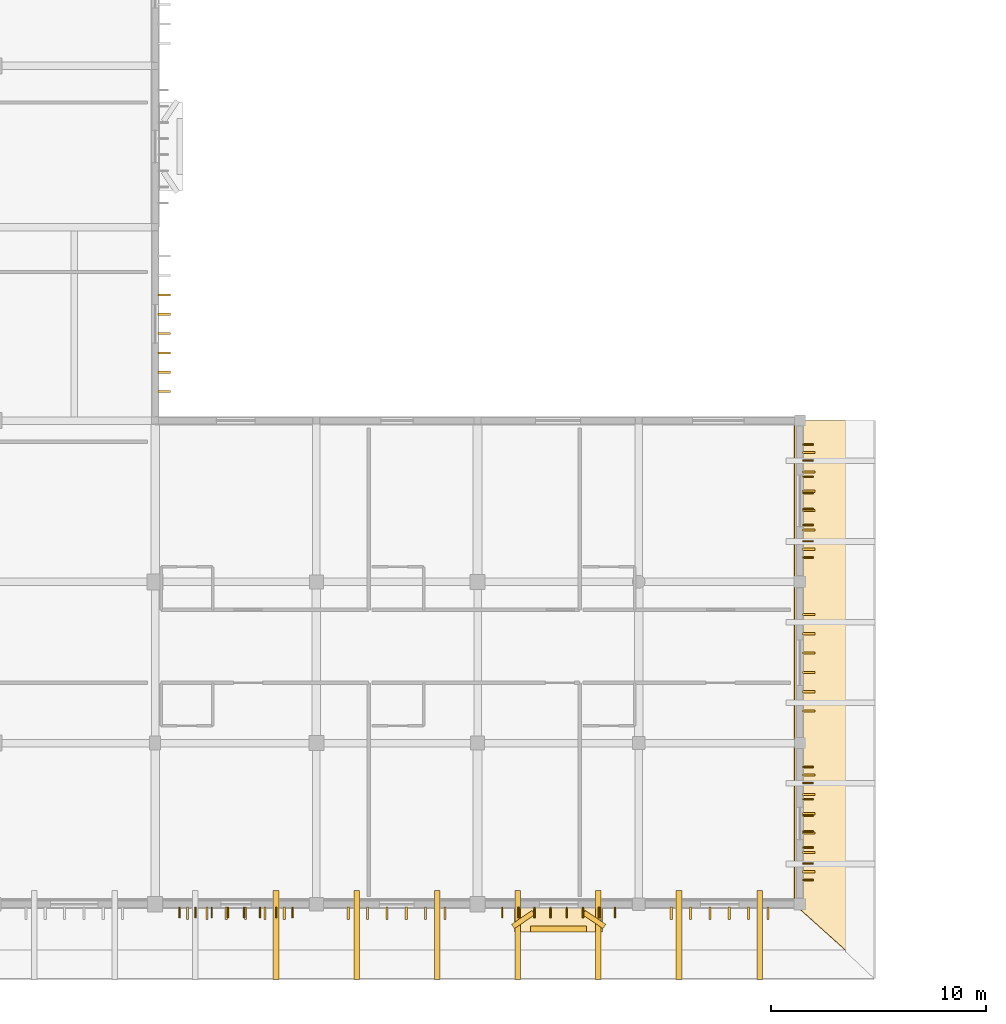
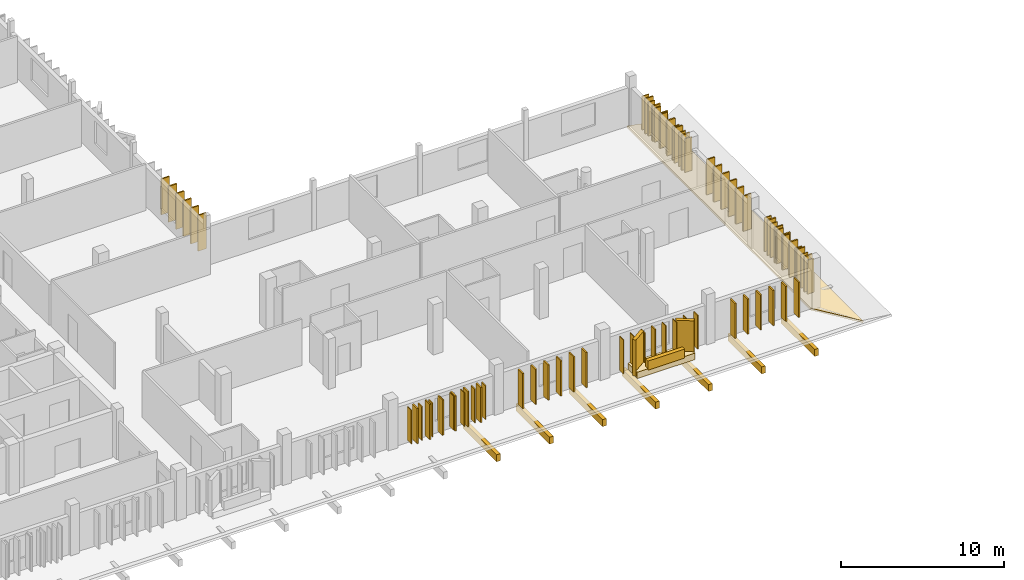
# One storey, part 29 of 43: 54 coverings, 32 shading devices.
"""IFC4 building model written with IfcOpenShell, lengths in metres."""

from ifc_helpers import new_model, si_unit, direction, frame, origin, origin_2d, place, context, subcontext, project, spatial, polyline, rectangle, outline, extrude, material, layer, layer_set, type_object, element, save


model = new_model("IFC4")

# Units and contexts
model_context = context("Model", 3, precision=1e-05, world=origin(), true_north=direction((0.0, 1.0)))
body_context = subcontext(model_context, "Body", "Model", "MODEL_VIEW")
ifc_project = project(units=[si_unit("LENGTHUNIT", "METRE"), si_unit("AREAUNIT", "SQUARE_METRE"), si_unit("VOLUMEUNIT", "CUBIC_METRE"), si_unit("PLANEANGLEUNIT", "RADIAN"), si_unit("MASSUNIT", "GRAM", prefix="KILO")], contexts=[model_context])

# Site, building, storey
site_placement = place(None, origin())
site = spatial("IfcSite", under=ifc_project, at=site_placement, CompositionType="ELEMENT")
building_placement = place(site_placement, origin())
building = spatial("IfcBuilding", under=site, at=building_placement, Name="Dalvernix Boulevard General Hospital", CompositionType="ELEMENT")
storey_placement = place(building_placement, frame((0.0, 0.0, 14.10009765625)))
storey = spatial("IfcBuildingStorey", under=building, at=storey_placement, Name="L03", CompositionType="ELEMENT", Elevation=14.10009765625)

# Coverings
ifc_material_1 = material(Name="Polychrome glazed Catalan trencadis ceramic faceted bay spandrel")
ifc_layer_1 = layer(ifc_material_1, 0.280029296875)
ifc_layer_set_1 = layer_set([ifc_layer_1], Name="Polychrome glazed Catalan trencadis ceramic faceted bay spandrel (COV-BAY-01)")
covering_type_1 = type_object("IfcCoveringType", Name="COV-BAY-01", PredefinedType="CLADDING", material=ifc_layer_set_1)
covering_1_placement = place(storey_placement, frame((48.77490234375, -1.159912109375, 0.3798828125), z_axis=(0.0, 0.0, 1.0), x_axis=(-1.0, 0.0, 0.0)))
element("IfcCovering", 1, at=covering_1_placement, inside=storey, type_object=covering_type_1, Name="L03 projecting faceted trencadis bay spandrel S 6-0", PredefinedType="CLADDING", context=body_context, shape_type="SweptSolid", body=[
    extrude(rectangle(XDim=2.60009765625, YDim=0.280029296875, at=origin_2d()), origin(), (0.0, 0.0, 1.0), 0.679931640625),
])
for number, where, z_axis, x_axis, name in (
    (2, (50.425048828125, -0.7099609375, 0.079833984375), (0.0, 0.0, 1.0), (-0.829037572555, 0.559192903471, 0.0), "L03 projecting faceted Catalan bay cheek S 6-0-L"),
    (3, (47.125, -0.7099609375, 0.079833984375), (0.0, 0.0, 1.0), (-0.829037572555, -0.559192903471, 0.0), "L03 projecting faceted Catalan bay cheek S 6-0-R"),
):
    element("IfcCovering", number, at=place(storey_placement, frame(where, z_axis=z_axis, x_axis=x_axis)), inside=storey, type_object=covering_type_1, Name=name, PredefinedType="CLADDING", context=body_context, shape_type="SweptSolid", body=[
        extrude(rectangle(XDim=1.14990234375, YDim=0.239990234375, at=origin_2d()), origin(), (0.0, 0.0, 1.0), 2.7099609375),
    ])
ifc_material_2 = material(Name="Dressed ochre limestone classical plinth, stringcourse and corbelled cornice", Category="masonry")
ifc_layer_2 = layer(ifc_material_2, 0.449951171875)
ifc_layer_set_2 = layer_set([ifc_layer_2], Name="Dressed ochre limestone classical plinth, stringcourse and corbelled cornice (COV-CRN-01)")
covering_type_2 = type_object("IfcCoveringType", Name="COV-CRN-01", PredefinedType="CLADDING", material=ifc_layer_set_2)
covering_2_placement = place(storey_placement, frame((48.77490234375, -0.705078125, 0.0), z_axis=(0.0, 0.0, 1.0), x_axis=(-1.0, 0.0, 0.0)))
element("IfcCovering", 4, at=covering_2_placement, inside=storey, type_object=covering_type_2, Name="L03 projecting Catalan bay corbel base S 6-0", PredefinedType="CLADDING", context=body_context, shape_type="SweptSolid", body=[
    extrude(rectangle(XDim=4.10009765625, YDim=1.14990234375, at=origin_2d()), origin(), (0.0, 0.0, 1.0), 0.47998046875),
])
ifc_material_3 = material(Name="Glazed Catalan terracotta and iroko timber overhanging upturned eave", Category="masonry")
ifc_layer_3 = layer(ifc_material_3, 0.139892578125)
ifc_layer_set_3 = layer_set([ifc_layer_3], Name="Glazed Catalan terracotta and iroko timber overhanging upturned eave (COV-EAVE-01)")
covering_type_3 = type_object("IfcCoveringType", Name="COV-EAVE-01", PredefinedType="CLADDING", material=ifc_layer_set_3)
covering_3_placement = place(storey_placement, frame((59.75, 0.0, -0.06005859375), z_axis=(0.192259352231, 0.0, 0.981344150377), x_axis=(0.0, 1.0, 0.0)))
element("IfcCovering", 5, at=covering_3_placement, inside=storey, type_object=covering_type_3, Name="TIER-V4-BASE overhanging ceramic eave skirt E", PredefinedType="CLADDING", context=body_context, shape_type="SweptSolid", body=[
    extrude(outline(polyline([(0.0, 0.0), (22.5, 0.0), (22.5, -2.4965259852349138), (-2.199951171875, -2.4965259852349138), (0.0, 0.0)])), origin(), (0.0, 0.0, -1.0), 0.139892578125),
])
ifc_material_4 = material(Name="Terracotta-clad iroko timber brise-soleil sun-breaker fin", Category="masonry")
ifc_layer_4 = layer(ifc_material_4, 0.10009765625)
ifc_layer_set_4 = layer_set([ifc_layer_4], Name="Terracotta-clad iroko timber brise-soleil sun-breaker fin (COV-FIN-02)")
covering_type_4 = type_object("IfcCoveringType", Name="COV-FIN-02", PredefinedType="CLADDING", material=ifc_layer_set_4)
for number, where, z_axis, x_axis, name in (
    (6, (30.419921875, 28.35009765625, 0.1201171875), (0.0, 0.0, 1.0), (0.0, -1.0, 0.0), "L03 terracotta brise-soleil fin E 4-3-3"),
    (7, (30.419921875, 27.449951171875, 0.1201171875), (0.0, 0.0, 1.0), (0.0, -1.0, 0.0), "L03 terracotta brise-soleil fin E 4-3-4"),
    (8, (30.419921875, 26.550048828125, 0.1201171875), (0.0, 0.0, 1.0), (0.0, -1.0, 0.0), "L03 terracotta brise-soleil fin E 4-3-5"),
    (9, (30.419921875, 25.64990234375, 0.1201171875), (0.0, 0.0, 1.0), (0.0, -1.0, 0.0), "L03 terracotta brise-soleil fin E 4-3-6"),
    (10, (30.419921875, 24.75, 0.1201171875), (0.0, 0.0, 1.0), (0.0, -1.0, 0.0), "L03 terracotta brise-soleil fin E 4-3-7"),
    (11, (30.419921875, 23.85009765625, 0.1201171875), (0.0, 0.0, 1.0), (0.0, -1.0, 0.0), "L03 terracotta brise-soleil fin E 4-3-8"),
):
    element("IfcCovering", number, at=place(storey_placement, frame(where, z_axis=z_axis, x_axis=x_axis)), inside=storey, type_object=covering_type_4, Name=name, PredefinedType="CLADDING", context=body_context, shape_type="SweptSolid", body=[
        extrude(rectangle(XDim=0.10009765625, YDim=0.580078125, at=origin_2d()), origin(), (0.0, 0.0, 1.0), 2.679931640625),
    ])
for number, where, z_axis, x_axis, name in (
    (12, (36.012451171875, -0.419921875, 0.119873046875), (0.0, 0.0, 1.0), (-1.0, 0.0, 0.0), "L03 terracotta brise-soleil fin S 4-0-1"),
    (13, (35.112548828125, -0.419921875, 0.119873046875), (0.0, 0.0, 1.0), (-1.0, 0.0, 0.0), "L03 terracotta brise-soleil fin S 4-0-2"),
    (14, (34.21240234375, -0.419921875, 0.119873046875), (0.0, 0.0, 1.0), (-1.0, 0.0, 0.0), "L03 terracotta brise-soleil fin S 4-0-3"),
    (15, (33.3125, -0.419921875, 0.119873046875), (0.0, 0.0, 1.0), (-1.0, 0.0, 0.0), "L03 terracotta brise-soleil fin S 4-0-4"),
    (16, (32.41259765625, -0.419921875, 0.119873046875), (0.0, 0.0, 1.0), (-1.0, 0.0, 0.0), "L03 terracotta brise-soleil fin S 4-0-5"),
    (17, (31.512451171875, -0.419921875, 0.119873046875), (0.0, 0.0, 1.0), (-1.0, 0.0, 0.0), "L03 terracotta brise-soleil fin S 4-0-6"),
    (18, (43.487548828125, -0.419921875, 0.119873046875), (0.0, 0.0, 1.0), (-1.0, 0.0, 0.0), "L03 terracotta brise-soleil fin S 5-0-1"),
    (19, (42.58740234375, -0.419921875, 0.119873046875), (0.0, 0.0, 1.0), (-1.0, 0.0, 0.0), "L03 terracotta brise-soleil fin S 5-0-2"),
    (20, (41.6875, -0.419921875, 0.119873046875), (0.0, 0.0, 1.0), (-1.0, 0.0, 0.0), "L03 terracotta brise-soleil fin S 5-0-3"),
    (21, (40.78759765625, -0.419921875, 0.119873046875), (0.0, 0.0, 1.0), (-1.0, 0.0, 0.0), "L03 terracotta brise-soleil fin S 5-0-4"),
    (22, (39.887451171875, -0.419921875, 0.119873046875), (0.0, 0.0, 1.0), (-1.0, 0.0, 0.0), "L03 terracotta brise-soleil fin S 5-0-5"),
    (23, (38.987548828125, -0.419921875, 0.119873046875), (0.0, 0.0, 1.0), (-1.0, 0.0, 0.0), "L03 terracotta brise-soleil fin S 5-0-6"),
    (24, (58.512451171875, -0.419921875, 0.119873046875), (0.0, 0.0, 1.0), (-1.0, 0.0, 0.0), "L03 terracotta brise-soleil fin S 7-0-1"),
    (25, (57.612548828125, -0.419921875, 0.119873046875), (0.0, 0.0, 1.0), (-1.0, 0.0, 0.0), "L03 terracotta brise-soleil fin S 7-0-2"),
    (26, (56.71240234375, -0.419921875, 0.119873046875), (0.0, 0.0, 1.0), (-1.0, 0.0, 0.0), "L03 terracotta brise-soleil fin S 7-0-3"),
    (27, (55.8125, -0.419921875, 0.119873046875), (0.0, 0.0, 1.0), (-1.0, 0.0, 0.0), "L03 terracotta brise-soleil fin S 7-0-4"),
    (28, (54.91259765625, -0.419921875, 0.119873046875), (0.0, 0.0, 1.0), (-1.0, 0.0, 0.0), "L03 terracotta brise-soleil fin S 7-0-5"),
    (29, (54.012451171875, -0.419921875, 0.119873046875), (0.0, 0.0, 1.0), (-1.0, 0.0, 0.0), "L03 terracotta brise-soleil fin S 7-0-6"),
    (30, (60.419921875, 6.012451171875, 0.119873046875), (0.0, 0.0, 1.0), (0.0, -1.0, 0.0), "L03 terracotta brise-soleil fin E 8-0-1"),
    (31, (60.419921875, 5.112548828125, 0.119873046875), (0.0, 0.0, 1.0), (0.0, -1.0, 0.0), "L03 terracotta brise-soleil fin E 8-0-2"),
    (32, (60.419921875, 4.21240234375, 0.119873046875), (0.0, 0.0, 1.0), (0.0, -1.0, 0.0), "L03 terracotta brise-soleil fin E 8-0-3"),
    (33, (60.419921875, 3.3125, 0.119873046875), (0.0, 0.0, 1.0), (0.0, -1.0, 0.0), "L03 terracotta brise-soleil fin E 8-0-4"),
    (34, (60.419921875, 2.41259765625, 0.119873046875), (0.0, 0.0, 1.0), (0.0, -1.0, 0.0), "L03 terracotta brise-soleil fin E 8-0-5"),
    (35, (60.419921875, 1.512451171875, 0.119873046875), (0.0, 0.0, 1.0), (0.0, -1.0, 0.0), "L03 terracotta brise-soleil fin E 8-0-6"),
    (36, (60.419921875, 13.487548828125, 0.119873046875), (0.0, 0.0, 1.0), (0.0, -1.0, 0.0), "L03 terracotta brise-soleil fin E 8-1-1"),
    (37, (60.419921875, 12.58740234375, 0.119873046875), (0.0, 0.0, 1.0), (0.0, -1.0, 0.0), "L03 terracotta brise-soleil fin E 8-1-2"),
    (38, (60.419921875, 11.6875, 0.119873046875), (0.0, 0.0, 1.0), (0.0, -1.0, 0.0), "L03 terracotta brise-soleil fin E 8-1-3"),
    (39, (60.419921875, 10.78759765625, 0.119873046875), (0.0, 0.0, 1.0), (0.0, -1.0, 0.0), "L03 terracotta brise-soleil fin E 8-1-4"),
    (40, (60.419921875, 9.887451171875, 0.119873046875), (0.0, 0.0, 1.0), (0.0, -1.0, 0.0), "L03 terracotta brise-soleil fin E 8-1-5"),
    (41, (60.419921875, 8.987548828125, 0.119873046875), (0.0, 0.0, 1.0), (0.0, -1.0, 0.0), "L03 terracotta brise-soleil fin E 8-1-6"),
    (42, (60.419921875, 21.012451171875, 0.119873046875), (0.0, 0.0, 1.0), (0.0, -1.0, 0.0), "L03 terracotta brise-soleil fin E 8-2-1"),
    (43, (60.419921875, 20.112548828125, 0.119873046875), (0.0, 0.0, 1.0), (0.0, -1.0, 0.0), "L03 terracotta brise-soleil fin E 8-2-2"),
    (44, (60.419921875, 19.21240234375, 0.119873046875), (0.0, 0.0, 1.0), (0.0, -1.0, 0.0), "L03 terracotta brise-soleil fin E 8-2-3"),
    (45, (60.419921875, 18.3125, 0.119873046875), (0.0, 0.0, 1.0), (0.0, -1.0, 0.0), "L03 terracotta brise-soleil fin E 8-2-4"),
    (46, (60.419921875, 17.41259765625, 0.119873046875), (0.0, 0.0, 1.0), (0.0, -1.0, 0.0), "L03 terracotta brise-soleil fin E 8-2-5"),
    (47, (60.419921875, 16.512451171875, 0.119873046875), (0.0, 0.0, 1.0), (0.0, -1.0, 0.0), "L03 terracotta brise-soleil fin E 8-2-6"),
):
    element("IfcCovering", number, at=place(storey_placement, frame(where, z_axis=z_axis, x_axis=x_axis)), inside=storey, type_object=covering_type_4, Name=name, PredefinedType="CLADDING", context=body_context, shape_type="SweptSolid", body=[
        extrude(rectangle(XDim=0.10009765625, YDim=0.580078125, at=origin_2d()), origin(), (0.0, 0.0, 1.0), 2.6298828125),
    ])
ifc_material_5 = material(Name="Preservative-treated glulam GL28h eave outlooker corbel bracket", Category="wood")
ifc_layer_5 = layer(ifc_material_5, 0.239990234375)
ifc_layer_set_5 = layer_set([ifc_layer_5], Name="Preservative-treated glulam GL28h eave outlooker corbel bracket (COV-OUTLOOK-01)")
covering_type_5 = type_object("IfcCoveringType", Name="COV-OUTLOOK-01", PredefinedType="CLADDING", material=ifc_layer_set_5)
for number, where, z_axis, x_axis, name in (
    (48, (35.625, -1.425048828125, -0.940185546875), (0.0, 0.0, 1.0), (1.0, 0.0, 0.0), "TIER-V4-BASE glulam eave outlooker corbel S-10"),
    (49, (39.375, -1.425048828125, -0.940185546875), (0.0, 0.0, 1.0), (1.0, 0.0, 0.0), "TIER-V4-BASE glulam eave outlooker corbel S-11"),
    (50, (43.125, -1.425048828125, -0.940185546875), (0.0, 0.0, 1.0), (1.0, 0.0, 0.0), "TIER-V4-BASE glulam eave outlooker corbel S-12"),
    (51, (46.875, -1.425048828125, -0.940185546875), (0.0, 0.0, 1.0), (1.0, 0.0, 0.0), "TIER-V4-BASE glulam eave outlooker corbel S-13"),
    (52, (50.625, -1.425048828125, -0.940185546875), (0.0, 0.0, 1.0), (1.0, 0.0, 0.0), "TIER-V4-BASE glulam eave outlooker corbel S-14"),
    (53, (54.375, -1.425048828125, -0.940185546875), (0.0, 0.0, 1.0), (1.0, 0.0, 0.0), "TIER-V4-BASE glulam eave outlooker corbel S-15"),
    (54, (58.125, -1.425048828125, -0.940185546875), (0.0, 0.0, 1.0), (1.0, 0.0, 0.0), "TIER-V4-BASE glulam eave outlooker corbel S-16"),
):
    element("IfcCovering", number, at=place(storey_placement, frame(where, z_axis=z_axis, x_axis=x_axis)), inside=storey, type_object=covering_type_5, Name=name, PredefinedType="CLADDING", context=body_context, shape_type="SweptSolid", body=[
        extrude(rectangle(XDim=0.260009765625, YDim=4.14990234375, at=origin_2d()), origin(), (0.0, 0.0, 1.0), 0.52001953125),
    ])

# Shading devices
ifc_material_6 = material(Name="Preservative-treated West African iroko timber", Category="wood")
shading_device_type = type_object("IfcShadingDeviceType", Name="SHD-FIN-01", PredefinedType="USERDEFINED", material=ifc_material_6)
for number, where, z_axis, x_axis, name in (
    (55, (36.387451171875, -0.3798828125, 0.1748046875), (0.0, 0.0, 1.0), (-1.0, 0.0, 0.0), "L03 iroko brise-soleil fin 1"),
    (56, (35.637451171875, -0.3798828125, 0.1748046875), (0.0, 0.0, 1.0), (-1.0, 0.0, 0.0), "L03 iroko brise-soleil fin 2"),
    (57, (34.887451171875, -0.3798828125, 0.1748046875), (0.0, 0.0, 1.0), (-1.0, 0.0, 0.0), "L03 iroko brise-soleil fin 3"),
    (58, (34.137451171875, -0.3798828125, 0.1748046875), (0.0, 0.0, 1.0), (-1.0, 0.0, 0.0), "L03 iroko brise-soleil fin 4"),
    (59, (33.387451171875, -0.3798828125, 0.1748046875), (0.0, 0.0, 1.0), (-1.0, 0.0, 0.0), "L03 iroko brise-soleil fin 5"),
    (60, (32.637451171875, -0.3798828125, 0.1748046875), (0.0, 0.0, 1.0), (-1.0, 0.0, 0.0), "L03 iroko brise-soleil fin 6"),
    (61, (31.887451171875, -0.3798828125, 0.1748046875), (0.0, 0.0, 1.0), (-1.0, 0.0, 0.0), "L03 iroko brise-soleil fin 7"),
    (62, (31.137451171875, -0.3798828125, 0.1748046875), (0.0, 0.0, 1.0), (-1.0, 0.0, 0.0), "L03 iroko brise-soleil fin 8"),
    (63, (51.39990234375, -0.3798828125, 0.1748046875), (0.0, 0.0, 1.0), (-1.0, 0.0, 0.0), "L03 iroko brise-soleil fin 1"),
    (64, (50.64990234375, -0.3798828125, 0.1748046875), (0.0, 0.0, 1.0), (-1.0, 0.0, 0.0), "L03 iroko brise-soleil fin 2"),
    (65, (49.89990234375, -0.3798828125, 0.1748046875), (0.0, 0.0, 1.0), (-1.0, 0.0, 0.0), "L03 iroko brise-soleil fin 3"),
    (66, (49.14990234375, -0.3798828125, 0.1748046875), (0.0, 0.0, 1.0), (-1.0, 0.0, 0.0), "L03 iroko brise-soleil fin 4"),
    (67, (48.39990234375, -0.3798828125, 0.1748046875), (0.0, 0.0, 1.0), (-1.0, 0.0, 0.0), "L03 iroko brise-soleil fin 5"),
    (68, (47.64990234375, -0.3798828125, 0.1748046875), (0.0, 0.0, 1.0), (-1.0, 0.0, 0.0), "L03 iroko brise-soleil fin 6"),
    (69, (46.89990234375, -0.3798828125, 0.1748046875), (0.0, 0.0, 1.0), (-1.0, 0.0, 0.0), "L03 iroko brise-soleil fin 7"),
    (70, (46.14990234375, -0.3798828125, 0.1748046875), (0.0, 0.0, 1.0), (-1.0, 0.0, 0.0), "L03 iroko brise-soleil fin 8"),
    (71, (60.3798828125, 6.387451171875, 0.1748046875), (0.0, 0.0, 1.0), (0.0, -1.0, 0.0), "L03 iroko brise-soleil fin 1"),
    (72, (60.3798828125, 5.637451171875, 0.1748046875), (0.0, 0.0, 1.0), (0.0, -1.0, 0.0), "L03 iroko brise-soleil fin 2"),
    (73, (60.3798828125, 4.887451171875, 0.1748046875), (0.0, 0.0, 1.0), (0.0, -1.0, 0.0), "L03 iroko brise-soleil fin 3"),
    (74, (60.3798828125, 4.137451171875, 0.1748046875), (0.0, 0.0, 1.0), (0.0, -1.0, 0.0), "L03 iroko brise-soleil fin 4"),
    (75, (60.3798828125, 3.387451171875, 0.1748046875), (0.0, 0.0, 1.0), (0.0, -1.0, 0.0), "L03 iroko brise-soleil fin 5"),
    (76, (60.3798828125, 2.637451171875, 0.1748046875), (0.0, 0.0, 1.0), (0.0, -1.0, 0.0), "L03 iroko brise-soleil fin 6"),
    (77, (60.3798828125, 1.887451171875, 0.1748046875), (0.0, 0.0, 1.0), (0.0, -1.0, 0.0), "L03 iroko brise-soleil fin 7"),
    (78, (60.3798828125, 1.137451171875, 0.1748046875), (0.0, 0.0, 1.0), (0.0, -1.0, 0.0), "L03 iroko brise-soleil fin 8"),
    (79, (60.3798828125, 21.387451171875, 0.1748046875), (0.0, 0.0, 1.0), (0.0, -1.0, 0.0), "L03 iroko brise-soleil fin 1"),
    (80, (60.3798828125, 20.637451171875, 0.1748046875), (0.0, 0.0, 1.0), (0.0, -1.0, 0.0), "L03 iroko brise-soleil fin 2"),
    (81, (60.3798828125, 19.887451171875, 0.1748046875), (0.0, 0.0, 1.0), (0.0, -1.0, 0.0), "L03 iroko brise-soleil fin 3"),
    (82, (60.3798828125, 19.137451171875, 0.1748046875), (0.0, 0.0, 1.0), (0.0, -1.0, 0.0), "L03 iroko brise-soleil fin 4"),
    (83, (60.3798828125, 18.387451171875, 0.1748046875), (0.0, 0.0, 1.0), (0.0, -1.0, 0.0), "L03 iroko brise-soleil fin 5"),
    (84, (60.3798828125, 17.637451171875, 0.1748046875), (0.0, 0.0, 1.0), (0.0, -1.0, 0.0), "L03 iroko brise-soleil fin 6"),
    (85, (60.3798828125, 16.887451171875, 0.1748046875), (0.0, 0.0, 1.0), (0.0, -1.0, 0.0), "L03 iroko brise-soleil fin 7"),
    (86, (60.3798828125, 16.137451171875, 0.1748046875), (0.0, 0.0, 1.0), (0.0, -1.0, 0.0), "L03 iroko brise-soleil fin 8"),
):
    element("IfcShadingDevice", number, at=place(storey_placement, frame(where, z_axis=z_axis, x_axis=x_axis)), inside=storey, type_object=shading_device_type, Name=name, ObjectType="FIN", PredefinedType="USERDEFINED", context=body_context, shape_type="SweptSolid", body=[
        extrude(rectangle(XDim=0.06494140625, YDim=0.47998046875, at=origin_2d()), origin(), (0.0, 0.0, 1.0), 2.52001953125),
    ])

save(model, "model.ifc")
